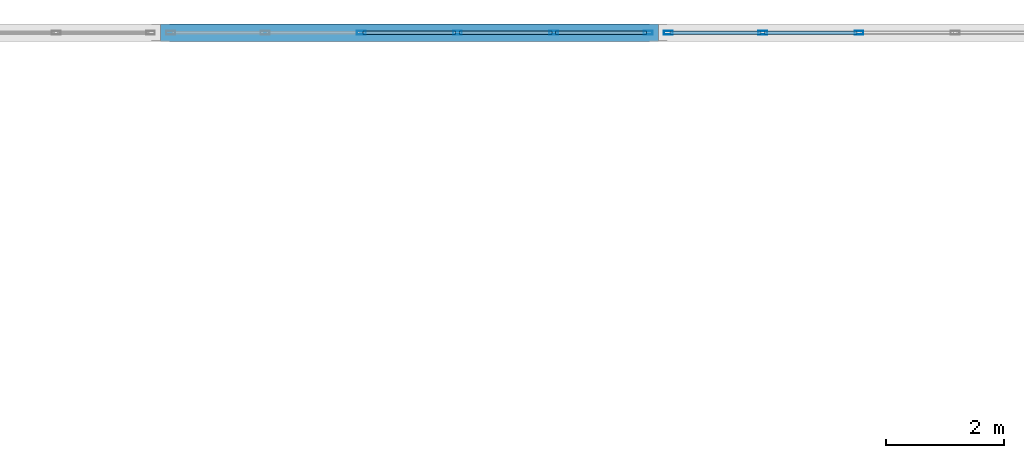
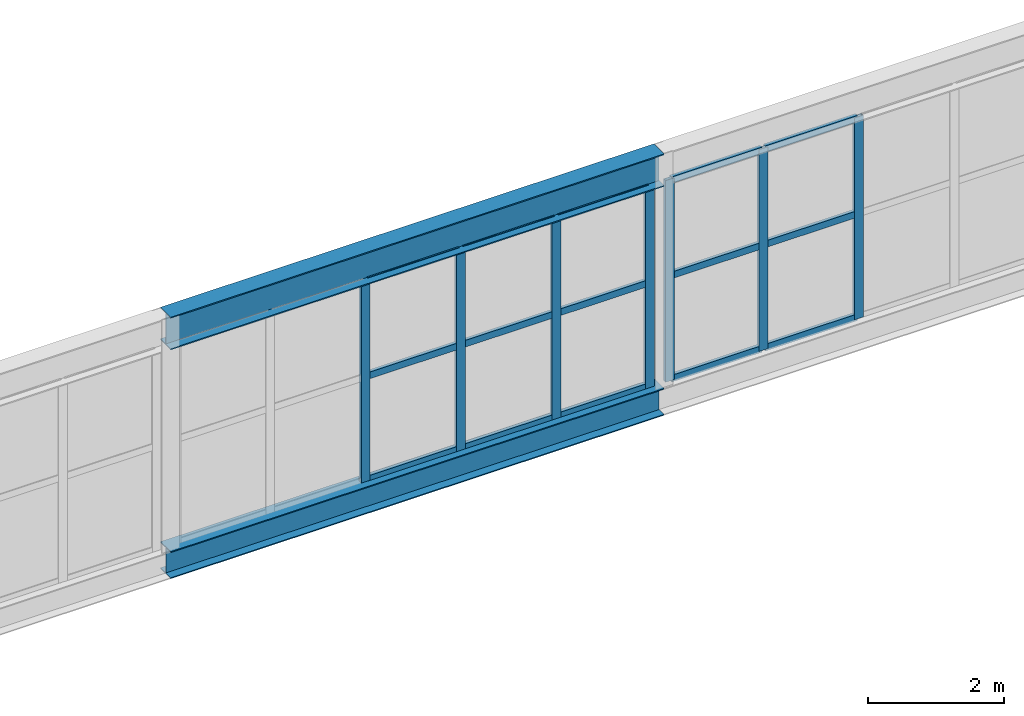
# One storey, part 166 of 218: 22 members, 2 beams, 2 elements without a shape of their own.
"""IFC4 building model written with IfcOpenShell, lengths in metres."""

from ifc_helpers import new_model, si_unit, direction, frame, origin, origin_2d, place, context, subcontext, project, spatial, hollow_rectangle, i_section, extrude, material, material_profile, profile_set, type_object, element, aggregate, save


model = new_model("IFC4")

# Units and contexts
model_context = context("Model", 3, precision=1e-05, world=origin(), true_north=direction((0.0, 1.0)))
body_context = subcontext(model_context, "Body", "Model", "MODEL_VIEW")
ifc_project = project(units=[si_unit("LENGTHUNIT", "METRE"), si_unit("AREAUNIT", "SQUARE_METRE"), si_unit("VOLUMEUNIT", "CUBIC_METRE"), si_unit("PLANEANGLEUNIT", "RADIAN"), si_unit("MASSUNIT", "GRAM", prefix="KILO")], contexts=[model_context])

# Site, building, storey
site_placement = place(None, origin())
site = spatial("IfcSite", under=ifc_project, at=site_placement, CompositionType="ELEMENT")
building_placement = place(site_placement, origin())
building = spatial("IfcBuilding", under=site, at=building_placement, Name="Kazenagashi Tramway Depot", CompositionType="ELEMENT")
storey_placement = place(building_placement, frame((0.0, 0.0, 6.0)))
storey = spatial("IfcBuildingStorey", under=building, at=storey_placement, Name="L02", CompositionType="ELEMENT", Elevation=6.0)

# Curtain wall, members
ifc_material_1 = material(Name="Anodised Aluminium and Low-E Glazing", Category="aluminium")
curtain_wall_type = type_object("IfcCurtainWallType", Name="CW-15", PredefinedType="USERDEFINED", material=ifc_material_1)
curtain_wall_1_placement = place(storey_placement, origin())
curtain_wall_1 = element("IfcCurtainWall", 1, at=curtain_wall_1_placement, inside=storey, type_object=curtain_wall_type, Name="Industrial Glazed Screen CW-15 CW-0071", ObjectType="GLAZED SCREEN", PredefinedType="USERDEFINED")
ifc_material_2 = material(Name="Anodised Aluminium", Category="aluminium")
ifc_material_profile_1 = material_profile(ifc_material_2, hollow_rectangle(XDim=0.06, YDim=0.15, WallThickness=0.004, at=origin_2d()), Name="RHS-150x60x4")
ifc_profile_set_1 = profile_set([ifc_material_profile_1], Name="Anodised Aluminium")
member_type_1 = type_object("IfcMemberType", Name="ML-01", PredefinedType="MULLION", material=ifc_profile_set_1)
member_1_placement = place(storey_placement, frame((98.588, 130.0, -0.02), z_axis=(0.0, 0.0, 1.0), x_axis=(0.0, 1.0, 0.0)))
member_1 = element("IfcMember", 2, at=member_1_placement, type_object=member_type_1, Name="CW-15 mullion 3", PredefinedType="MULLION", context=body_context, shape_type="SweptSolid", body=[
    extrude(hollow_rectangle(XDim=0.06, YDim=0.15, WallThickness=0.004, at=origin_2d()), origin(), (0.0, 0.0, 1.0), 3.632),
])
member_2_placement = place(storey_placement, frame((100.212, 130.0, -0.02), z_axis=(0.0, 0.0, 1.0), x_axis=(0.0, 1.0, 0.0)))
member_2 = element("IfcMember", 3, at=member_2_placement, type_object=member_type_1, Name="CW-15 mullion 4", PredefinedType="MULLION", context=body_context, shape_type="SweptSolid", body=[
    extrude(hollow_rectangle(XDim=0.06, YDim=0.15, WallThickness=0.004, at=origin_2d()), origin(), (0.0, 0.0, 1.0), 3.632),
])
member_3_placement = place(storey_placement, frame((101.836, 130.0, -0.02), z_axis=(0.0, 0.0, 1.0), x_axis=(0.0, 1.0, 0.0)))
member_3 = element("IfcMember", 4, at=member_3_placement, type_object=member_type_1, Name="CW-15 mullion 5", PredefinedType="MULLION", context=body_context, shape_type="SweptSolid", body=[
    extrude(hollow_rectangle(XDim=0.06, YDim=0.15, WallThickness=0.004, at=origin_2d()), origin(), (0.0, 0.0, 1.0), 3.632),
])
member_4_placement = place(storey_placement, frame((103.43, 130.0, -0.02), z_axis=(0.0, 0.0, 1.0), x_axis=(0.0, 1.0, 0.0)))
member_4 = element("IfcMember", 5, at=member_4_placement, type_object=member_type_1, Name="CW-15 mullion 6", PredefinedType="MULLION", context=body_context, shape_type="SweptSolid", body=[
    extrude(hollow_rectangle(XDim=0.06, YDim=0.15, WallThickness=0.004, at=origin_2d()), origin(), (0.0, 0.0, 1.0), 3.632),
])

curtain_wall_2_placement = place(storey_placement, origin())
curtain_wall_2 = element("IfcCurtainWall", 6, at=curtain_wall_2_placement, inside=storey, type_object=curtain_wall_type, Name="Industrial Glazed Screen CW-15 CW-0074", ObjectType="GLAZED SCREEN", PredefinedType="USERDEFINED")
member_5_placement = place(storey_placement, frame((103.77, 130.0, -0.02), z_axis=(0.0, 0.0, 1.0), x_axis=(0.0, 1.0, 0.0)))
member_5 = element("IfcMember", 7, at=member_5_placement, type_object=member_type_1, Name="CW-15 mullion 1", PredefinedType="MULLION", context=body_context, shape_type="SweptSolid", body=[
    extrude(hollow_rectangle(XDim=0.06, YDim=0.15, WallThickness=0.004, at=origin_2d()), origin(), (0.0, 0.0, 1.0), 3.632),
])
member_6_placement = place(storey_placement, frame((105.364, 130.0, -0.02), z_axis=(0.0, 0.0, 1.0), x_axis=(0.0, 1.0, 0.0)))
member_6 = element("IfcMember", 8, at=member_6_placement, type_object=member_type_1, Name="CW-15 mullion 2", PredefinedType="MULLION", context=body_context, shape_type="SweptSolid", body=[
    extrude(hollow_rectangle(XDim=0.06, YDim=0.15, WallThickness=0.004, at=origin_2d()), origin(), (0.0, 0.0, 1.0), 3.632),
])
member_7_placement = place(storey_placement, frame((106.988, 130.0, -0.02), z_axis=(0.0, 0.0, 1.0), x_axis=(0.0, 1.0, 0.0)))
member_7 = element("IfcMember", 9, at=member_7_placement, type_object=member_type_1, Name="CW-15 mullion 3", PredefinedType="MULLION", context=body_context, shape_type="SweptSolid", body=[
    extrude(hollow_rectangle(XDim=0.06, YDim=0.15, WallThickness=0.004, at=origin_2d()), origin(), (0.0, 0.0, 1.0), 3.632),
])

# Beams
ifc_material_3 = material(Name="Steel SN490B", Category="steel")
ifc_material_profile_2 = material_profile(ifc_material_3, i_section(OverallWidth=0.3, OverallDepth=0.588, WebThickness=0.012, FlangeThickness=0.02, at=origin_2d()), Name="H-588x300x12x20")
ifc_profile_set_2 = profile_set([ifc_material_profile_2], Name="Steel SN490B")
beam_type_1 = type_object("IfcBeamType", Name="SP-01", PredefinedType="SPANDREL", material=ifc_profile_set_2)
beam_1_placement = place(storey_placement, frame((95.2, 130.0, 3.906), z_axis=(1.0, 0.0, 0.0), x_axis=(0.0, 1.0, 0.0)))
element("IfcBeam", 10, at=beam_1_placement, inside=storey, type_object=beam_type_1, Name="Beam SP-01 BM-1886", PredefinedType="SPANDREL", context=body_context, shape_type="SweptSolid", body=[
    extrude(i_section(OverallWidth=0.3, OverallDepth=0.588, WebThickness=0.012, FlangeThickness=0.02, at=origin_2d()), origin(), (0.0, 0.0, 1.0), 8.4),
])
ifc_material_profile_3 = material_profile(ifc_material_3, i_section(OverallWidth=0.3, OverallDepth=0.488, WebThickness=0.011, FlangeThickness=0.018, at=origin_2d()), Name="H-488x300x11x18")
ifc_profile_set_3 = profile_set([ifc_material_profile_3], Name="Steel SN490B")
beam_type_2 = type_object("IfcBeamType", Name="SP-02", PredefinedType="SPANDREL", material=ifc_profile_set_3)
beam_2_placement = place(storey_placement, frame((95.2, 130.0, -0.264), z_axis=(1.0, 0.0, 0.0), x_axis=(0.0, 1.0, 0.0)))
element("IfcBeam", 11, at=beam_2_placement, inside=storey, type_object=beam_type_2, Name="Beam SP-02 BM-1830", PredefinedType="SPANDREL", context=body_context, shape_type="SweptSolid", body=[
    extrude(i_section(OverallWidth=0.3, OverallDepth=0.488, WebThickness=0.011, FlangeThickness=0.018, at=origin_2d()), origin(), (0.0, 0.0, 1.0), 8.4),
])

# Member
ifc_material_profile_4 = material_profile(ifc_material_2, hollow_rectangle(XDim=0.06, YDim=0.12, WallThickness=0.004, at=origin_2d()), Name="RHS-120x60x4")
ifc_profile_set_4 = profile_set([ifc_material_profile_4], Name="Anodised Aluminium")
member_type_2 = type_object("IfcMemberType", Name="TR-01", PredefinedType="USERDEFINED", material=ifc_profile_set_4)
member_8_placement = place(storey_placement, frame((98.618, 130.0, 0.01), z_axis=(1.0, 0.0, 0.0), x_axis=(0.0, 1.0, 0.0)))
member_8 = element("IfcMember", 12, at=member_8_placement, type_object=member_type_2, Name="CW-15 transom 3.1", ObjectType="TRANSOM", PredefinedType="USERDEFINED", context=body_context, shape_type="SweptSolid", body=[
    extrude(hollow_rectangle(XDim=0.06, YDim=0.12, WallThickness=0.004, at=origin_2d()), origin(), (0.0, 0.0, 1.0), 1.564),
])

member_9_placement = place(storey_placement, frame((98.618, 130.0, 1.869), z_axis=(1.0, 0.0, 0.0), x_axis=(0.0, 1.0, 0.0)))
member_9 = element("IfcMember", 13, at=member_9_placement, type_object=member_type_2, Name="CW-15 transom 3.2", ObjectType="TRANSOM", PredefinedType="USERDEFINED", context=body_context, shape_type="SweptSolid", body=[
    extrude(hollow_rectangle(XDim=0.06, YDim=0.12, WallThickness=0.004, at=origin_2d()), origin(), (0.0, 0.0, 1.0), 1.564),
])

member_10_placement = place(storey_placement, frame((98.618, 130.0, 3.582), z_axis=(1.0, 0.0, 0.0), x_axis=(0.0, 1.0, 0.0)))
member_10 = element("IfcMember", 14, at=member_10_placement, type_object=member_type_2, Name="CW-15 transom 3.3", ObjectType="TRANSOM", PredefinedType="USERDEFINED", context=body_context, shape_type="SweptSolid", body=[
    extrude(hollow_rectangle(XDim=0.06, YDim=0.12, WallThickness=0.004, at=origin_2d()), origin(), (0.0, 0.0, 1.0), 1.564),
])

member_11_placement = place(storey_placement, frame((100.242, 130.0, 0.01), z_axis=(1.0, 0.0, 0.0), x_axis=(0.0, 1.0, 0.0)))
member_11 = element("IfcMember", 15, at=member_11_placement, type_object=member_type_2, Name="CW-15 transom 4.1", ObjectType="TRANSOM", PredefinedType="USERDEFINED", context=body_context, shape_type="SweptSolid", body=[
    extrude(hollow_rectangle(XDim=0.06, YDim=0.12, WallThickness=0.004, at=origin_2d()), origin(), (0.0, 0.0, 1.0), 1.564),
])

member_12_placement = place(storey_placement, frame((100.242, 130.0, 1.869), z_axis=(1.0, 0.0, 0.0), x_axis=(0.0, 1.0, 0.0)))
member_12 = element("IfcMember", 16, at=member_12_placement, type_object=member_type_2, Name="CW-15 transom 4.2", ObjectType="TRANSOM", PredefinedType="USERDEFINED", context=body_context, shape_type="SweptSolid", body=[
    extrude(hollow_rectangle(XDim=0.06, YDim=0.12, WallThickness=0.004, at=origin_2d()), origin(), (0.0, 0.0, 1.0), 1.564),
])

member_13_placement = place(storey_placement, frame((100.242, 130.0, 3.582), z_axis=(1.0, 0.0, 0.0), x_axis=(0.0, 1.0, 0.0)))
member_13 = element("IfcMember", 17, at=member_13_placement, type_object=member_type_2, Name="CW-15 transom 4.3", ObjectType="TRANSOM", PredefinedType="USERDEFINED", context=body_context, shape_type="SweptSolid", body=[
    extrude(hollow_rectangle(XDim=0.06, YDim=0.12, WallThickness=0.004, at=origin_2d()), origin(), (0.0, 0.0, 1.0), 1.564),
])

member_14_placement = place(storey_placement, frame((101.866, 130.0, 0.01), z_axis=(1.0, 0.0, 0.0), x_axis=(0.0, 1.0, 0.0)))
member_14 = element("IfcMember", 18, at=member_14_placement, type_object=member_type_2, Name="CW-15 transom 5.1", ObjectType="TRANSOM", PredefinedType="USERDEFINED", context=body_context, shape_type="SweptSolid", body=[
    extrude(hollow_rectangle(XDim=0.06, YDim=0.12, WallThickness=0.004, at=origin_2d()), origin(), (0.0, 0.0, 1.0), 1.534),
])

member_15_placement = place(storey_placement, frame((101.866, 130.0, 1.869), z_axis=(1.0, 0.0, 0.0), x_axis=(0.0, 1.0, 0.0)))
member_15 = element("IfcMember", 19, at=member_15_placement, type_object=member_type_2, Name="CW-15 transom 5.2", ObjectType="TRANSOM", PredefinedType="USERDEFINED", context=body_context, shape_type="SweptSolid", body=[
    extrude(hollow_rectangle(XDim=0.06, YDim=0.12, WallThickness=0.004, at=origin_2d()), origin(), (0.0, 0.0, 1.0), 1.534),
])

member_16_placement = place(storey_placement, frame((101.866, 130.0, 3.582), z_axis=(1.0, 0.0, 0.0), x_axis=(0.0, 1.0, 0.0)))
member_16 = element("IfcMember", 20, at=member_16_placement, type_object=member_type_2, Name="CW-15 transom 5.3", ObjectType="TRANSOM", PredefinedType="USERDEFINED", context=body_context, shape_type="SweptSolid", body=[
    extrude(hollow_rectangle(XDim=0.06, YDim=0.12, WallThickness=0.004, at=origin_2d()), origin(), (0.0, 0.0, 1.0), 1.534),
])

aggregate(curtain_wall_1, [member_1, member_2, member_3, member_4, member_8, member_9, member_10, member_11, member_12, member_13, member_14, member_15, member_16])

member_17_placement = place(storey_placement, frame((103.8, 130.0, 0.01), z_axis=(1.0, 0.0, 0.0), x_axis=(0.0, 1.0, 0.0)))
member_17 = element("IfcMember", 21, at=member_17_placement, type_object=member_type_2, Name="CW-15 transom 1.1", ObjectType="TRANSOM", PredefinedType="USERDEFINED", context=body_context, shape_type="SweptSolid", body=[
    extrude(hollow_rectangle(XDim=0.06, YDim=0.12, WallThickness=0.004, at=origin_2d()), origin(), (0.0, 0.0, 1.0), 1.534),
])

member_18_placement = place(storey_placement, frame((103.8, 130.0, 1.869), z_axis=(1.0, 0.0, 0.0), x_axis=(0.0, 1.0, 0.0)))
member_18 = element("IfcMember", 22, at=member_18_placement, type_object=member_type_2, Name="CW-15 transom 1.2", ObjectType="TRANSOM", PredefinedType="USERDEFINED", context=body_context, shape_type="SweptSolid", body=[
    extrude(hollow_rectangle(XDim=0.06, YDim=0.12, WallThickness=0.004, at=origin_2d()), origin(), (0.0, 0.0, 1.0), 1.534),
])

member_19_placement = place(storey_placement, frame((103.8, 130.0, 3.582), z_axis=(1.0, 0.0, 0.0), x_axis=(0.0, 1.0, 0.0)))
member_19 = element("IfcMember", 23, at=member_19_placement, type_object=member_type_2, Name="CW-15 transom 1.3", ObjectType="TRANSOM", PredefinedType="USERDEFINED", context=body_context, shape_type="SweptSolid", body=[
    extrude(hollow_rectangle(XDim=0.06, YDim=0.12, WallThickness=0.004, at=origin_2d()), origin(), (0.0, 0.0, 1.0), 1.534),
])

member_20_placement = place(storey_placement, frame((105.394, 130.0, 0.01), z_axis=(1.0, 0.0, 0.0), x_axis=(0.0, 1.0, 0.0)))
member_20 = element("IfcMember", 24, at=member_20_placement, type_object=member_type_2, Name="CW-15 transom 2.1", ObjectType="TRANSOM", PredefinedType="USERDEFINED", context=body_context, shape_type="SweptSolid", body=[
    extrude(hollow_rectangle(XDim=0.06, YDim=0.12, WallThickness=0.004, at=origin_2d()), origin(), (0.0, 0.0, 1.0), 1.564),
])

member_21_placement = place(storey_placement, frame((105.394, 130.0, 1.869), z_axis=(1.0, 0.0, 0.0), x_axis=(0.0, 1.0, 0.0)))
member_21 = element("IfcMember", 25, at=member_21_placement, type_object=member_type_2, Name="CW-15 transom 2.2", ObjectType="TRANSOM", PredefinedType="USERDEFINED", context=body_context, shape_type="SweptSolid", body=[
    extrude(hollow_rectangle(XDim=0.06, YDim=0.12, WallThickness=0.004, at=origin_2d()), origin(), (0.0, 0.0, 1.0), 1.564),
])

member_22_placement = place(storey_placement, frame((105.394, 130.0, 3.582), z_axis=(1.0, 0.0, 0.0), x_axis=(0.0, 1.0, 0.0)))
member_22 = element("IfcMember", 26, at=member_22_placement, type_object=member_type_2, Name="CW-15 transom 2.3", ObjectType="TRANSOM", PredefinedType="USERDEFINED", context=body_context, shape_type="SweptSolid", body=[
    extrude(hollow_rectangle(XDim=0.06, YDim=0.12, WallThickness=0.004, at=origin_2d()), origin(), (0.0, 0.0, 1.0), 1.564),
])

aggregate(curtain_wall_2, [member_5, member_6, member_7, member_17, member_18, member_19, member_20, member_21, member_22])

save(model, "model.ifc")
